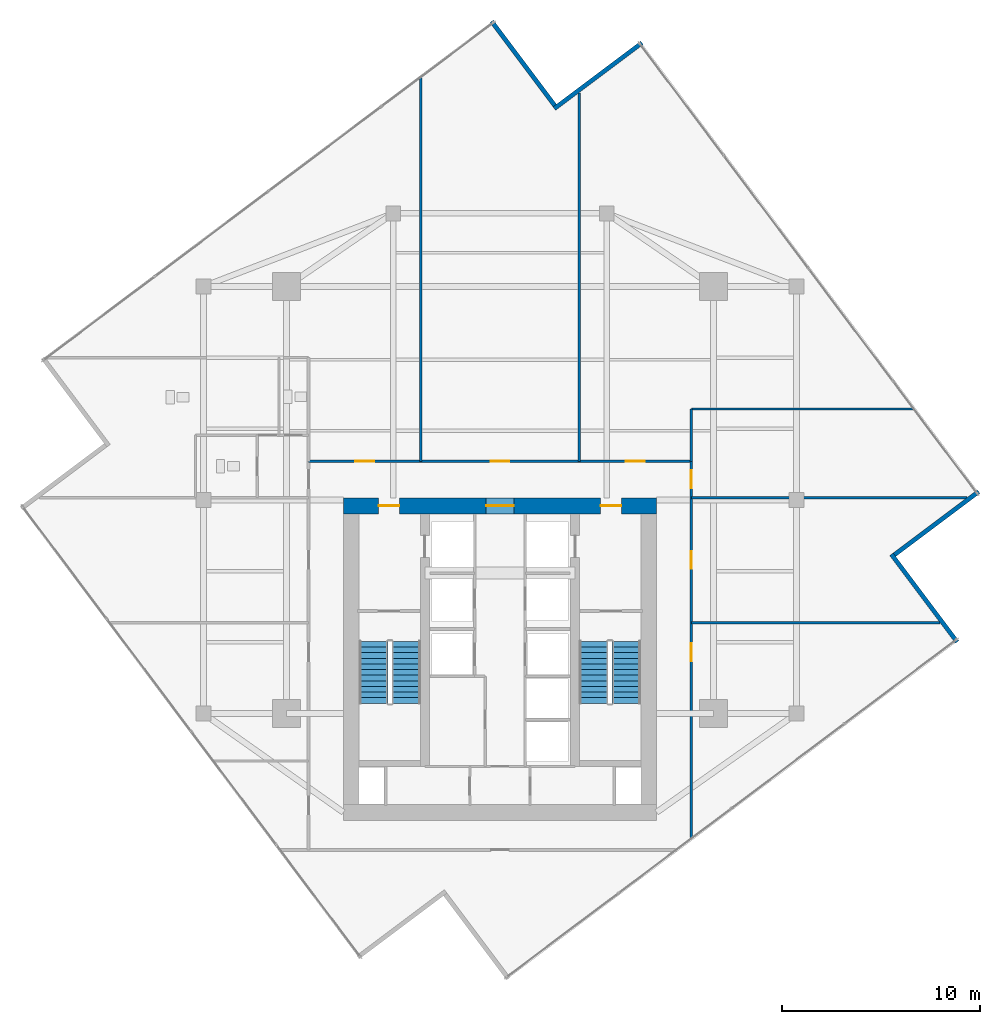
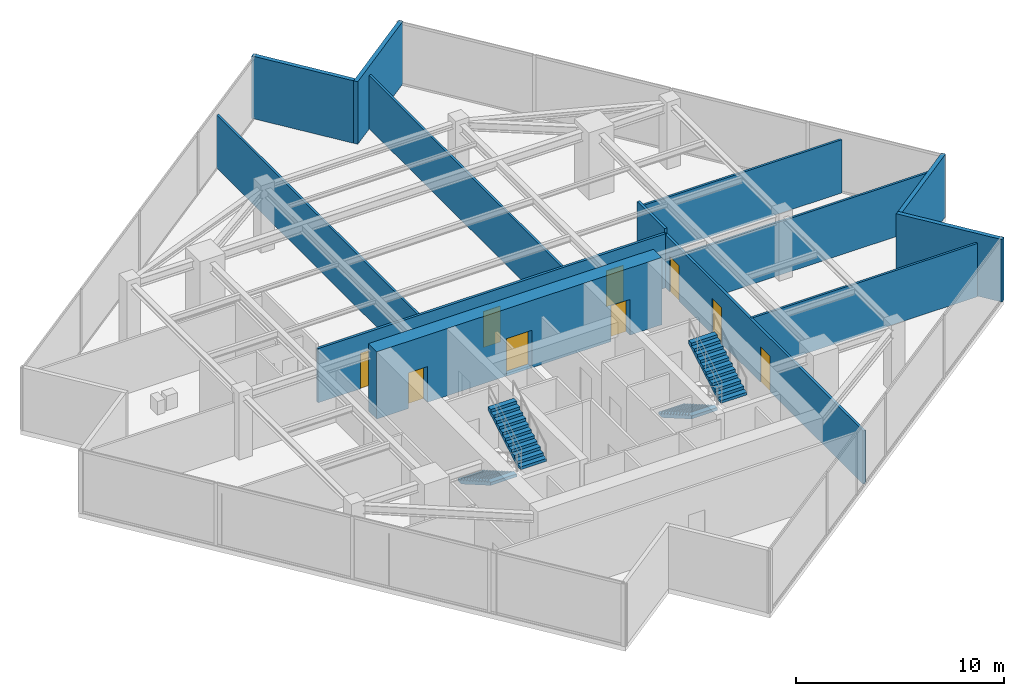
# One storey, part 19 of 21: 13 walls, 9 doors, 4 stair flights, 9 openings, 2 elements without a shape of their own.
"""IFC4 building model written with IfcOpenShell, lengths in metres."""

from ifc_helpers import new_model, si_unit, direction, frame, frame_2d, origin, place, context, subcontext, project, spatial, polyline, rectangle, outline, extrude, material, layer, layer_set, type_object, element, fill, aggregate, save


model = new_model("IFC4")

# Units and contexts
model_context = context("Model", 3, precision=1e-05, world=origin(), true_north=direction((0.0, 1.0)))
body_context = subcontext(model_context, "Body", "Model", "MODEL_VIEW")
ifc_project = project(units=[si_unit("LENGTHUNIT", "METRE"), si_unit("AREAUNIT", "SQUARE_METRE"), si_unit("VOLUMEUNIT", "CUBIC_METRE"), si_unit("PLANEANGLEUNIT", "RADIAN"), si_unit("MASSUNIT", "GRAM", prefix="KILO")], contexts=[model_context])

# Site, building, storey
site_placement = place(None, origin())
site = spatial("IfcSite", under=ifc_project, at=site_placement, CompositionType="ELEMENT")
building_placement = place(site_placement, origin())
building = spatial("IfcBuilding", under=site, at=building_placement, Name="Krantzveldt Concourse Tower", CompositionType="ELEMENT")
storey_placement = place(building_placement, frame((0.0, 0.0, 267.39990234375)))
storey = spatial("IfcBuildingStorey", under=building, at=storey_placement, Name="L65", CompositionType="ELEMENT", Elevation=267.39990234375)

# Walls
ifc_material_1 = material(Name="Anodised aluminium 6063-T6", Category="aluminium")
ifc_layer_1 = layer(ifc_material_1, 0.219970703125, Name="Anodised aluminium 6063-T6", Category="aluminium")
ifc_layer_set_1 = layer_set([ifc_layer_1], Name="Anodised aluminium 6063-T6 (WL-EXT-NOTCH220)")
wall_type_1 = type_object("IfcWallType", Name="WL-EXT-NOTCH220", PredefinedType="ELEMENTEDWALL", material=ifc_layer_set_1)
wall_1_placement = place(storey_placement, frame((38.770263671875, 46.654296875, 0.0), z_axis=(0.0, 0.0, 1.0), x_axis=(-0.600058683831, 0.799955983763, 0.0)))
element("IfcWall", 1, at=wall_1_placement, inside=storey, type_object=wall_type_1, Name="EW-L65-NCH00", PredefinedType="ELEMENTEDWALL", context=body_context, shape_type="SweptSolid", body=[
    extrude(rectangle(XDim=5.324951171875, YDim=0.219970703125, at=frame_2d((2.66259765625, 0.0))), origin(), (0.0, 0.0, 1.0), 3.670166015625),
])
wall_2_placement = place(storey_placement, frame((59.127685546875, 19.51611328125, 0.0), z_axis=(0.0, 0.0, 1.0), x_axis=(-0.600084534203, 0.799936592369, 0.0)))
element("IfcWall", 2, at=wall_2_placement, inside=storey, type_object=wall_type_1, Name="EW-L65-NCH08", PredefinedType="ELEMENTEDWALL", context=body_context, shape_type="SweptSolid", body=[
    extrude(rectangle(XDim=5.544921875, YDim=0.219970703125, at=frame_2d((2.7724609375, 0.0))), origin(), (0.0, 0.0, 1.0), 3.670166015625),
])
wall_3_placement = place(storey_placement, frame((55.954345703125, 23.9296875, 0.0), z_axis=(0.0, 0.0, 1.0), x_axis=(0.799917465268, 0.600110030544, 0.0)))
element("IfcWall", 3, at=wall_3_placement, inside=storey, type_object=wall_type_1, Name="EW-L65-NCH09", PredefinedType="ELEMENTEDWALL", context=body_context, shape_type="SweptSolid", body=[
    extrude(rectangle(XDim=5.324951171875, YDim=0.219970703125, at=frame_2d((2.66259765625, 0.0))), origin(), (0.0, 0.0, 1.0), 3.670166015625),
])
wall_4_placement = place(storey_placement, frame((43.183837890625, 49.82763671875, 0.0), z_axis=(0.0, 0.0, 1.0), x_axis=(-0.799936592369, -0.600084534203, 0.0)))
element("IfcWall", 4, at=wall_4_placement, inside=storey, type_object=wall_type_1, Name="EW-L65-NCH11", PredefinedType="ELEMENTEDWALL", context=body_context, shape_type="SweptSolid", body=[
    extrude(rectangle(XDim=5.544921875, YDim=0.219970703125, at=frame_2d((2.7724609375, 0.0))), origin(), (0.0, 0.0, 1.0), 3.670166015625),
])
ifc_material_2 = material(Name="Fire-rated gypsum plasterboard on steel stud", Category="steel")
ifc_layer_2 = layer(ifc_material_2, 0.1201171875, Name="Fire-rated gypsum plasterboard on steel stud", Category="steel")
ifc_layer_set_2 = layer_set([ifc_layer_2], Name="Fire-rated gypsum plasterboard on steel stud (WL-PART-120)")
wall_type_2 = type_object("IfcWallType", Name="WL-PART-120", PredefinedType="PARTITIONING", material=ifc_layer_set_2)
wall_5_placement = place(storey_placement, frame((45.679931640625, 26.820068359375, 0.0), z_axis=(0.0, 0.0, 1.0), x_axis=(1.0, 0.0, 0.0)))
element("IfcWall", 5, at=wall_5_placement, inside=storey, type_object=wall_type_2, Name="WP-L65-PNTS", PredefinedType="PARTITIONING", context=body_context, shape_type="SweptSolid", body=[
    extrude(rectangle(XDim=13.935546875, YDim=0.1201171875, at=frame_2d((6.9677734375, 0.0))), origin(), (0.0, 0.0, 1.0), 3.130126953125),
])
wall_6_placement = place(storey_placement, frame((45.679931640625, 31.300048828125, 0.0), z_axis=(0.0, 0.0, 1.0), x_axis=(1.0, 0.0, 0.0)))
element("IfcWall", 6, at=wall_6_placement, inside=storey, type_object=wall_type_2, Name="WP-L65-PNTN", PredefinedType="PARTITIONING", context=body_context, shape_type="SweptSolid", body=[
    extrude(rectangle(XDim=11.258544921875, YDim=0.1201171875, at=frame_2d((5.62939453125, 0.0))), origin(), (0.0, 0.0, 1.0), 3.130126953125),
])
wall_7_placement = place(storey_placement, frame((32.0, 28.659912109375, 0.0), z_axis=(0.0, 0.0, 1.0), x_axis=(0.0, 1.0, 0.0)))
element("IfcWall", 7, at=wall_7_placement, inside=storey, type_object=wall_type_2, Name="WP-L65-ND1", PredefinedType="PARTITIONING", context=body_context, shape_type="SweptSolid", body=[
    extrude(rectangle(XDim=19.4287109375, YDim=0.1201171875, at=frame_2d((9.71435546875, 0.0))), origin(), (0.0, 0.0, 1.0), 3.130126953125),
])
wall_8_placement = place(storey_placement, frame((40.0, 28.659912109375, 0.0), z_axis=(0.0, 0.0, 1.0), x_axis=(0.0, 1.0, 0.0)))
element("IfcWall", 8, at=wall_8_placement, inside=storey, type_object=wall_type_2, Name="WP-L65-ND2", PredefinedType="PARTITIONING", context=body_context, shape_type="SweptSolid", body=[
    extrude(rectangle(XDim=18.635498046875, YDim=0.1201171875, at=frame_2d((9.31787109375, 0.0))), origin(), (0.0, 0.0, 1.0), 3.130126953125),
])
wall_9_placement = place(storey_placement, frame((45.679931640625, 20.5, 0.0), z_axis=(0.0, 0.0, 1.0), x_axis=(1.0, 0.0, 0.0)))
element("IfcWall", 9, at=wall_9_placement, inside=storey, type_object=wall_type_2, Name="WP-L65-ED1", PredefinedType="PARTITIONING", context=body_context, shape_type="SweptSolid", body=[
    extrude(rectangle(XDim=12.56591796875, YDim=0.1201171875, at=frame_2d((6.282958984375, 0.0))), origin(), (0.0, 0.0, 1.0), 3.130126953125),
])

# Wall, openings, doors
ifc_layer_3 = layer(ifc_material_2, 0.139892578125, Name="Fire-rated gypsum plasterboard on steel stud", Category="steel")
ifc_layer_set_3 = layer_set([ifc_layer_3], Name="Fire-rated gypsum plasterboard on steel stud (WL-PART-140)")
wall_type_3 = type_object("IfcWallType", Name="WL-PART-140", PredefinedType="PARTITIONING", material=ifc_layer_set_3)
wall_10_placement = place(storey_placement, frame((26.320068359375, 28.659912109375, 0.0), z_axis=(0.0, 0.0, 1.0), x_axis=(1.0, 0.0, 0.0)))
wall_10 = element("IfcWall", 10, at=wall_10_placement, inside=storey, type_object=wall_type_3, Name="WP-L65-CNHDR", PredefinedType="PARTITIONING", context=body_context, shape_type="SweptSolid", body=[
    extrude(rectangle(XDim=19.35986328125, YDim=0.139892578125, at=frame_2d((9.679931640625, 0.0))), origin(), (0.0, 0.0, 1.0), 3.18017578125),
])
opening_1_placement = place(wall_10_placement, frame((2.364990234375, 0.0, 0.0)))
opening_1 = element("IfcOpeningElement", 11, at=opening_1_placement, cuts=wall_10, Name="Opening D-IN095", PredefinedType="OPENING", context=body_context, shape_type="SweptSolid", body=[
    extrude(rectangle(XDim=0.949951171875, YDim=2.10009765625, at=frame_2d((0.47509765625, 1.050048828125))), frame((0.0, 0.080078125, 0.0), z_axis=(0.0, -1.0, 0.0), x_axis=(1.0, 0.0, 0.0)), (0.0, 0.0, 1.0), 0.159912109375),
])
opening_2_placement = place(wall_10_placement, frame((9.205078125, 0.0, 0.0)))
opening_2 = element("IfcOpeningElement", 12, at=opening_2_placement, cuts=wall_10, Name="Opening D-IN095", PredefinedType="OPENING", context=body_context, shape_type="SweptSolid", body=[
    extrude(rectangle(XDim=0.949951171875, YDim=2.10009765625, at=frame_2d((0.47509765625, 1.050048828125))), frame((0.0, 0.080078125, 0.0), z_axis=(0.0, -1.0, 0.0), x_axis=(1.0, 0.0, 0.0)), (0.0, 0.0, 1.0), 0.159912109375),
])
opening_3_placement = place(wall_10_placement, frame((16.044921875, 0.0, 0.0)))
opening_3 = element("IfcOpeningElement", 13, at=opening_3_placement, cuts=wall_10, Name="Opening D-IN095", PredefinedType="OPENING", context=body_context, shape_type="SweptSolid", body=[
    extrude(rectangle(XDim=0.949951171875, YDim=2.10009765625, at=frame_2d((0.47509765625, 1.050048828125))), frame((0.0, 0.080078125, 0.0), z_axis=(0.0, -1.0, 0.0), x_axis=(1.0, 0.0, 0.0)), (0.0, 0.0, 1.0), 0.159912109375),
])
ifc_material_3 = material(Name="Hardwood timber", Category="wood")
door_type_1 = type_object("IfcDoorType", Name="DR-INT-950", OperationType="SINGLE_SWING_LEFT", PredefinedType="DOOR", material=ifc_material_3)
door_1_placement = place(opening_1_placement, origin())
door_1 = element("IfcDoor", 14, at=door_1_placement, inside=storey, type_object=door_type_1, Name="DR-L65-NR1", OperationType="SINGLE_SWING_LEFT", OverallHeight=2.10009765625, OverallWidth=0.949951171875, PredefinedType="DOOR", context=body_context, shape_type="SweptSolid", body=[
    extrude(rectangle(XDim=0.949951171875, YDim=2.10009765625, at=frame_2d((0.47509765625, 1.050048828125))), frame((0.0, 0.02490234375, 0.0), z_axis=(0.0, -1.0, 0.0), x_axis=(1.0, 0.0, 0.0)), (0.0, 0.0, 1.0), 0.050048828125),
])
fill(opening_1, door_1)
door_2_placement = place(opening_2_placement, origin())
door_2 = element("IfcDoor", 15, at=door_2_placement, inside=storey, type_object=door_type_1, Name="DR-L65-NR2", OperationType="SINGLE_SWING_LEFT", OverallHeight=2.10009765625, OverallWidth=0.949951171875, PredefinedType="DOOR", context=body_context, shape_type="SweptSolid", body=[
    extrude(rectangle(XDim=0.949951171875, YDim=2.10009765625, at=frame_2d((0.47509765625, 1.050048828125))), frame((0.0, 0.02490234375, 0.0), z_axis=(0.0, -1.0, 0.0), x_axis=(1.0, 0.0, 0.0)), (0.0, 0.0, 1.0), 0.050048828125),
])
fill(opening_2, door_2)
door_3_placement = place(opening_3_placement, origin())
door_3 = element("IfcDoor", 16, at=door_3_placement, inside=storey, type_object=door_type_1, Name="DR-L65-NR3", OperationType="SINGLE_SWING_LEFT", OverallHeight=2.10009765625, OverallWidth=0.949951171875, PredefinedType="DOOR", context=body_context, shape_type="SweptSolid", body=[
    extrude(rectangle(XDim=0.949951171875, YDim=2.10009765625, at=frame_2d((0.47509765625, 1.050048828125))), frame((0.0, 0.02490234375, 0.0), z_axis=(0.0, -1.0, 0.0), x_axis=(1.0, 0.0, 0.0)), (0.0, 0.0, 1.0), 0.050048828125),
])
fill(opening_3, door_3)

wall_11_placement = place(storey_placement, frame((45.679931640625, 9.572265625, 0.0), z_axis=(0.0, 0.0, 1.0), x_axis=(0.0, 1.0, 0.0)))
wall_11 = element("IfcWall", 17, at=wall_11_placement, inside=storey, type_object=wall_type_3, Name="WP-L65-CEAST", PredefinedType="PARTITIONING", context=body_context, shape_type="SweptSolid", body=[
    extrude(rectangle(XDim=19.087646484375, YDim=0.139892578125, at=frame_2d((9.5439453125, 0.0))), origin(), (0.0, 0.0, 1.0), 3.130126953125),
])
opening_4_placement = place(wall_11_placement, frame((17.727783203125, 0.0, 0.0)))
opening_4 = element("IfcOpeningElement", 18, at=opening_4_placement, cuts=wall_11, Name="Opening D-IN090", PredefinedType="OPENING", context=body_context, shape_type="SweptSolid", body=[
    extrude(rectangle(XDim=0.89990234375, YDim=2.10009765625, at=frame_2d((0.449951171875, 1.050048828125))), frame((0.0, 0.080078125, 0.0), z_axis=(0.0, -1.0, 0.0), x_axis=(1.0, 0.0, 0.0)), (0.0, 0.0, 1.0), 0.159912109375),
])
opening_5_placement = place(wall_11_placement, frame((8.977783203125, 0.0, 0.0)))
opening_5 = element("IfcOpeningElement", 19, at=opening_5_placement, cuts=wall_11, Name="Opening D-IN090", PredefinedType="OPENING", context=body_context, shape_type="SweptSolid", body=[
    extrude(rectangle(XDim=0.89990234375, YDim=2.10009765625, at=frame_2d((0.449951171875, 1.050048828125))), frame((0.0, 0.080078125, 0.0), z_axis=(0.0, -1.0, 0.0), x_axis=(1.0, 0.0, 0.0)), (0.0, 0.0, 1.0), 0.159912109375),
])
opening_6_placement = place(wall_11_placement, frame((13.6376953125, 0.0, 0.0)))
opening_6 = element("IfcOpeningElement", 20, at=opening_6_placement, cuts=wall_11, Name="Opening D-IN090", PredefinedType="OPENING", context=body_context, shape_type="SweptSolid", body=[
    extrude(rectangle(XDim=0.89990234375, YDim=2.10009765625, at=frame_2d((0.449951171875, 1.050048828125))), frame((0.0, 0.080078125, 0.0), z_axis=(0.0, -1.0, 0.0), x_axis=(1.0, 0.0, 0.0)), (0.0, 0.0, 1.0), 0.159912109375),
])
door_type_2 = type_object("IfcDoorType", Name="DR-INT-900", OperationType="SINGLE_SWING_LEFT", PredefinedType="DOOR", material=ifc_material_3)
door_4_placement = place(opening_4_placement, origin())
door_4 = element("IfcDoor", 21, at=door_4_placement, inside=storey, type_object=door_type_2, Name="DR-L65-PNT", OperationType="SINGLE_SWING_RIGHT", OverallHeight=2.10009765625, OverallWidth=0.89990234375, PredefinedType="DOOR", context=body_context, shape_type="SweptSolid", body=[
    extrude(rectangle(XDim=0.89990234375, YDim=2.10009765625, at=frame_2d((0.449951171875, 1.050048828125))), frame((0.0, 0.02490234375, 0.0), z_axis=(0.0, -1.0, 0.0), x_axis=(1.0, 0.0, 0.0)), (0.0, 0.0, 1.0), 0.050048828125),
])
fill(opening_4, door_4)
door_5_placement = place(opening_5_placement, origin())
door_5 = element("IfcDoor", 22, at=door_5_placement, inside=storey, type_object=door_type_2, Name="DR-L65-ER1", OperationType="SINGLE_SWING_LEFT", OverallHeight=2.10009765625, OverallWidth=0.89990234375, PredefinedType="DOOR", context=body_context, shape_type="SweptSolid", body=[
    extrude(rectangle(XDim=0.89990234375, YDim=2.10009765625, at=frame_2d((0.449951171875, 1.050048828125))), frame((0.0, 0.02490234375, 0.0), z_axis=(0.0, -1.0, 0.0), x_axis=(1.0, 0.0, 0.0)), (0.0, 0.0, 1.0), 0.050048828125),
])
fill(opening_5, door_5)
door_6_placement = place(opening_6_placement, origin())
door_6 = element("IfcDoor", 23, at=door_6_placement, inside=storey, type_object=door_type_2, Name="DR-L65-ER2", OperationType="SINGLE_SWING_LEFT", OverallHeight=2.10009765625, OverallWidth=0.89990234375, PredefinedType="DOOR", context=body_context, shape_type="SweptSolid", body=[
    extrude(rectangle(XDim=0.89990234375, YDim=2.10009765625, at=frame_2d((0.449951171875, 1.050048828125))), frame((0.0, 0.02490234375, 0.0), z_axis=(0.0, -1.0, 0.0), x_axis=(1.0, 0.0, 0.0)), (0.0, 0.0, 1.0), 0.050048828125),
])
fill(opening_6, door_6)

# Wall
wall_12_placement = place(storey_placement, frame((45.679931640625, 28.659912109375, 0.0), z_axis=(0.0, 0.0, 1.0), x_axis=(0.0, 1.0, 0.0)))
element("IfcWall", 24, at=wall_12_placement, inside=storey, type_object=wall_type_3, Name="WP-L65-NER", PredefinedType="PARTITIONING", context=body_context, shape_type="SweptSolid", body=[
    extrude(rectangle(XDim=2.64013671875, YDim=0.139892578125, at=frame_2d((1.320068359375, 0.0))), origin(), (0.0, 0.0, 1.0), 3.43017578125),
])

# Wall, openings, doors
ifc_material_4 = material(Name="Concrete C60/75", Category="concrete")
ifc_layer_4 = layer(ifc_material_4, 0.800048828125, Name="Concrete C60/75", Category="concrete")
ifc_layer_set_4 = layer_set([ifc_layer_4], Name="Concrete C60/75 (WL-SHEAR-800)")
wall_type_4 = type_object("IfcWallType", Name="WL-SHEAR-800", PredefinedType="SHEAR", material=ifc_layer_set_4)
wall_13_placement = place(storey_placement, frame((28.080078125, 26.39990234375, 0.0), z_axis=(0.0, 0.0, 1.0), x_axis=(1.0, 0.0, 0.0)))
wall_13 = element("IfcWall", 25, at=wall_13_placement, inside=storey, type_object=wall_type_4, Name="CW-L65-N", PredefinedType="SHEAR", context=body_context, shape_type="SweptSolid", body=[
    extrude(rectangle(XDim=15.83984375, YDim=0.800048828125, at=frame_2d((7.919921875, 0.0))), origin(), (0.0, 0.0, 1.0), 3.9501953125),
])
opening_7_placement = place(wall_13_placement, frame((7.219970703125, 0.0, 0.0)))
opening_7 = element("IfcOpeningElement", 26, at=opening_7_placement, cuts=wall_13, Name="Opening D-DB140", PredefinedType="OPENING", context=body_context, shape_type="SweptSolid", body=[
    extrude(rectangle(XDim=1.39990234375, YDim=2.199951171875, at=frame_2d((0.699951171875, 1.10009765625))), frame((0.0, 0.41015625, 0.0), z_axis=(0.0, -1.0, 0.0), x_axis=(1.0, 0.0, 0.0)), (0.0, 0.0, 1.0), 0.820068359375),
])
opening_8_placement = place(wall_13_placement, frame((1.77490234375, 0.0, 0.0)))
opening_8 = element("IfcOpeningElement", 27, at=opening_8_placement, cuts=wall_13, Name="Opening D-FD105", PredefinedType="OPENING", context=body_context, shape_type="SweptSolid", body=[
    extrude(rectangle(XDim=1.050048828125, YDim=2.10009765625, at=frame_2d((0.52490234375, 1.050048828125))), frame((0.0, 0.41015625, 0.0), z_axis=(0.0, -1.0, 0.0), x_axis=(1.0, 0.0, 0.0)), (0.0, 0.0, 1.0), 0.820068359375),
])
opening_9_placement = place(wall_13_placement, frame((13.014892578125, 0.0, 0.0)))
opening_9 = element("IfcOpeningElement", 28, at=opening_9_placement, cuts=wall_13, Name="Opening D-FD105", PredefinedType="OPENING", context=body_context, shape_type="SweptSolid", body=[
    extrude(rectangle(XDim=1.050048828125, YDim=2.10009765625, at=frame_2d((0.52490234375, 1.050048828125))), frame((0.0, 0.41015625, 0.0), z_axis=(0.0, -1.0, 0.0), x_axis=(1.0, 0.0, 0.0)), (0.0, 0.0, 1.0), 0.820068359375),
])
door_type_3 = type_object("IfcDoorType", Name="DR-DBL-1400", OperationType="DOUBLE_DOOR_SINGLE_SWING", PredefinedType="DOOR", material=ifc_material_1)
door_7_placement = place(opening_7_placement, origin())
door_7 = element("IfcDoor", 29, at=door_7_placement, inside=storey, type_object=door_type_3, Name="DR-L65-LLB", OperationType="DOUBLE_DOOR_SINGLE_SWING", OverallHeight=2.199951171875, OverallWidth=1.39990234375, PredefinedType="DOOR", context=body_context, shape_type="SweptSolid", body=[
    extrude(rectangle(XDim=1.39990234375, YDim=2.199951171875, at=frame_2d((0.699951171875, 1.10009765625))), frame((0.0, 0.02490234375, 0.0), z_axis=(0.0, -1.0, 0.0), x_axis=(1.0, 0.0, 0.0)), (0.0, 0.0, 1.0), 0.050048828125),
])
fill(opening_7, door_7)
ifc_material_5 = material(Name="Galvanised steel", Category="steel")
door_type_4 = type_object("IfcDoorType", Name="DR-FD120-1050", OperationType="SINGLE_SWING_LEFT", PredefinedType="DOOR", material=ifc_material_5)
door_8_placement = place(opening_8_placement, origin())
door_8 = element("IfcDoor", 30, at=door_8_placement, inside=storey, type_object=door_type_4, Name="DR-L65-FFL1", OperationType="SINGLE_SWING_LEFT", OverallHeight=2.10009765625, OverallWidth=1.050048828125, PredefinedType="DOOR", context=body_context, shape_type="SweptSolid", body=[
    extrude(rectangle(XDim=1.050048828125, YDim=2.10009765625, at=frame_2d((0.52490234375, 1.050048828125))), frame((0.0, 0.02490234375, 0.0), z_axis=(0.0, -1.0, 0.0), x_axis=(1.0, 0.0, 0.0)), (0.0, 0.0, 1.0), 0.050048828125),
])
fill(opening_8, door_8)
door_9_placement = place(opening_9_placement, origin())
door_9 = element("IfcDoor", 31, at=door_9_placement, inside=storey, type_object=door_type_4, Name="DR-L65-FFL2", OperationType="SINGLE_SWING_RIGHT", OverallHeight=2.10009765625, OverallWidth=1.050048828125, PredefinedType="DOOR", context=body_context, shape_type="SweptSolid", body=[
    extrude(rectangle(XDim=1.050048828125, YDim=2.10009765625, at=frame_2d((0.52490234375, 1.050048828125))), frame((0.0, 0.02490234375, 0.0), z_axis=(0.0, -1.0, 0.0), x_axis=(1.0, 0.0, 0.0)), (0.0, 0.0, 1.0), 0.050048828125),
])
fill(opening_9, door_9)

# Stair, stair flights
ifc_material_6 = material(Name="Precast concrete C40/50", Category="concrete")
stair_type = type_object("IfcStairType", Name="STR-CORE-DOGLEG", PredefinedType="HALF_TURN_STAIR", material=ifc_material_6)
stair_1_placement = place(storey_placement, origin())
stair_1 = element("IfcStair", 32, at=stair_1_placement, inside=storey, type_object=stair_type, Name="L65 Protected Escape Stair ST-1", PredefinedType="HALF_TURN_STAIR")
stair_flight_type = type_object("IfcStairFlightType", Name="STF-CORE-1450", PredefinedType="STRAIGHT", material=ifc_material_6)
stair_flight_1_placement = place(storey_placement, frame((29.60498046875, 19.550048828125, 0.0), z_axis=(0.0, 0.0, 1.0), x_axis=(0.0, -1.0, 0.0)))
stair_flight_1 = element("IfcStairFlight", 33, at=stair_flight_1_placement, type_object=stair_flight_type, Name="ST-1 flight 1", NumberOfRisers=12, NumberOfTreads=11, PredefinedType="STRAIGHT", RiserHeight=0.164583333, TreadLength=0.285, context=body_context, shape_type="SweptSolid", body=[
    extrude(outline(polyline([(0.0, 0.0), (0.0, 0.16455078125), (0.284912109375, 0.16455078125), (0.284912109375, 0.3291015625), (0.570068359375, 0.3291015625), (0.570068359375, 0.49365234375), (0.85498046875, 0.49365234375), (0.85498046875, 0.658447265625), (1.139892578125, 0.658447265625), (1.139892578125, 0.822998046875), (1.425048828125, 0.822998046875), (1.425048828125, 0.987548828125), (1.7099609375, 0.987548828125), (1.7099609375, 1.152099609375), (1.9951171875, 1.152099609375), (1.9951171875, 1.316650390625), (2.280029296875, 1.316650390625), (2.280029296875, 1.481201171875), (2.56494140625, 1.481201171875), (2.56494140625, 1.645751953125), (2.85009765625, 1.645751953125), (2.85009765625, 1.810302734375), (3.135009765625, 1.810302734375), (3.135009765625, 1.97509765625), (3.135009765625, 1.63720703125), (0.2998046875, 0.0), (0.0, 0.0)])), frame((0.0, 0.72509765625, 0.0), z_axis=(0.0, -1.0, 0.0), x_axis=(1.0, 0.0, 0.0)), (0.0, 0.0, 1.0), 1.449951171875),
])
stair_flight_2_placement = place(storey_placement, frame((31.2548828125, 16.4150390625, 1.97509765625), z_axis=(0.0, 0.0, 1.0), x_axis=(0.0, 1.0, 0.0)))
stair_flight_2 = element("IfcStairFlight", 34, at=stair_flight_2_placement, type_object=stair_flight_type, Name="ST-1 flight 2", NumberOfRisers=12, NumberOfTreads=11, PredefinedType="STRAIGHT", RiserHeight=0.164583333, TreadLength=0.285, context=body_context, shape_type="SweptSolid", body=[
    extrude(outline(polyline([(0.0, 0.0), (0.0, 0.16455078125), (0.284912109375, 0.16455078125), (0.284912109375, 0.3291015625), (0.570068359375, 0.3291015625), (0.570068359375, 0.49365234375), (0.85498046875, 0.49365234375), (0.85498046875, 0.658447265625), (1.139892578125, 0.658447265625), (1.139892578125, 0.822998046875), (1.425048828125, 0.822998046875), (1.425048828125, 0.987548828125), (1.7099609375, 0.987548828125), (1.7099609375, 1.152099609375), (1.9951171875, 1.152099609375), (1.9951171875, 1.316650390625), (2.280029296875, 1.316650390625), (2.280029296875, 1.481201171875), (2.56494140625, 1.481201171875), (2.56494140625, 1.645751953125), (2.85009765625, 1.645751953125), (2.85009765625, 1.810302734375), (3.135009765625, 1.810302734375), (3.135009765625, 1.97509765625), (3.135009765625, 1.63720703125), (0.2998046875, 0.0), (0.0, 0.0)])), frame((0.0, 0.72509765625, 0.0), z_axis=(0.0, -1.0, 0.0), x_axis=(1.0, 0.0, 0.0)), (0.0, 0.0, 1.0), 1.449951171875),
])
aggregate(stair_1, [stair_flight_1, stair_flight_2])

stair_2_placement = place(storey_placement, origin())
stair_2 = element("IfcStair", 35, at=stair_2_placement, inside=storey, type_object=stair_type, Name="L65 Protected Escape Stair ST-2", PredefinedType="HALF_TURN_STAIR")
stair_flight_3_placement = place(storey_placement, frame((40.7451171875, 19.550048828125, 0.0), z_axis=(0.0, 0.0, 1.0), x_axis=(0.0, -1.0, 0.0)))
stair_flight_3 = element("IfcStairFlight", 36, at=stair_flight_3_placement, type_object=stair_flight_type, Name="ST-2 flight 1", NumberOfRisers=12, NumberOfTreads=11, PredefinedType="STRAIGHT", RiserHeight=0.164583333, TreadLength=0.285, context=body_context, shape_type="SweptSolid", body=[
    extrude(outline(polyline([(0.0, 0.0), (0.0, 0.16455078125), (0.284912109375, 0.16455078125), (0.284912109375, 0.3291015625), (0.570068359375, 0.3291015625), (0.570068359375, 0.49365234375), (0.85498046875, 0.49365234375), (0.85498046875, 0.658447265625), (1.139892578125, 0.658447265625), (1.139892578125, 0.822998046875), (1.425048828125, 0.822998046875), (1.425048828125, 0.987548828125), (1.7099609375, 0.987548828125), (1.7099609375, 1.152099609375), (1.9951171875, 1.152099609375), (1.9951171875, 1.316650390625), (2.280029296875, 1.316650390625), (2.280029296875, 1.481201171875), (2.56494140625, 1.481201171875), (2.56494140625, 1.645751953125), (2.85009765625, 1.645751953125), (2.85009765625, 1.810302734375), (3.135009765625, 1.810302734375), (3.135009765625, 1.97509765625), (3.135009765625, 1.63720703125), (0.2998046875, 0.0), (0.0, 0.0)])), frame((0.0, 0.72509765625, 0.0), z_axis=(0.0, -1.0, 0.0), x_axis=(1.0, 0.0, 0.0)), (0.0, 0.0, 1.0), 1.449951171875),
])
stair_flight_4_placement = place(storey_placement, frame((42.39501953125, 16.4150390625, 1.97509765625), z_axis=(0.0, 0.0, 1.0), x_axis=(0.0, 1.0, 0.0)))
stair_flight_4 = element("IfcStairFlight", 37, at=stair_flight_4_placement, type_object=stair_flight_type, Name="ST-2 flight 2", NumberOfRisers=12, NumberOfTreads=11, PredefinedType="STRAIGHT", RiserHeight=0.164583333, TreadLength=0.285, context=body_context, shape_type="SweptSolid", body=[
    extrude(outline(polyline([(0.0, 0.0), (0.0, 0.16455078125), (0.284912109375, 0.16455078125), (0.284912109375, 0.3291015625), (0.570068359375, 0.3291015625), (0.570068359375, 0.49365234375), (0.85498046875, 0.49365234375), (0.85498046875, 0.658447265625), (1.139892578125, 0.658447265625), (1.139892578125, 0.822998046875), (1.425048828125, 0.822998046875), (1.425048828125, 0.987548828125), (1.7099609375, 0.987548828125), (1.7099609375, 1.152099609375), (1.9951171875, 1.152099609375), (1.9951171875, 1.316650390625), (2.280029296875, 1.316650390625), (2.280029296875, 1.481201171875), (2.56494140625, 1.481201171875), (2.56494140625, 1.645751953125), (2.85009765625, 1.645751953125), (2.85009765625, 1.810302734375), (3.135009765625, 1.810302734375), (3.135009765625, 1.97509765625), (3.135009765625, 1.63720703125), (0.2998046875, 0.0), (0.0, 0.0)])), frame((0.0, 0.72509765625, 0.0), z_axis=(0.0, -1.0, 0.0), x_axis=(1.0, 0.0, 0.0)), (0.0, 0.0, 1.0), 1.449951171875),
])
aggregate(stair_2, [stair_flight_3, stair_flight_4])

save(model, "model.ifc")
